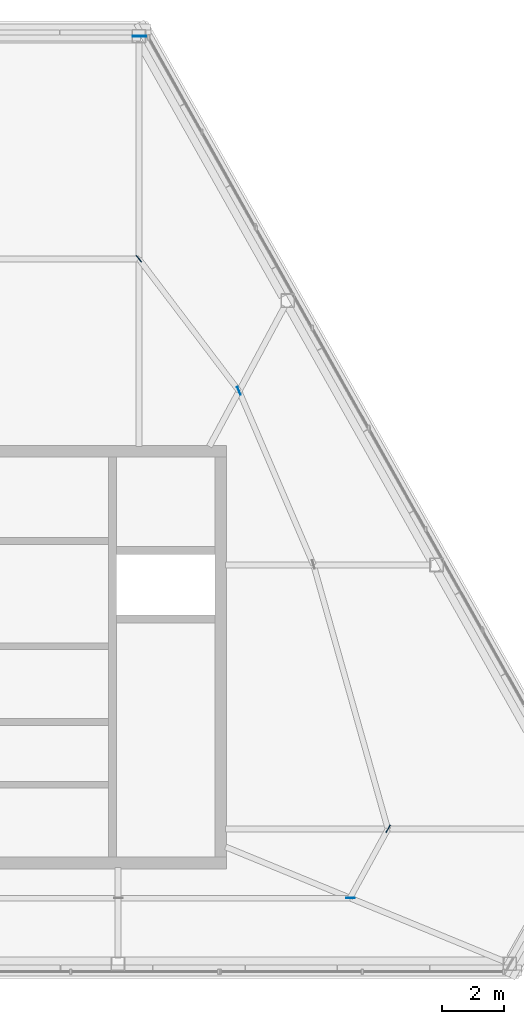
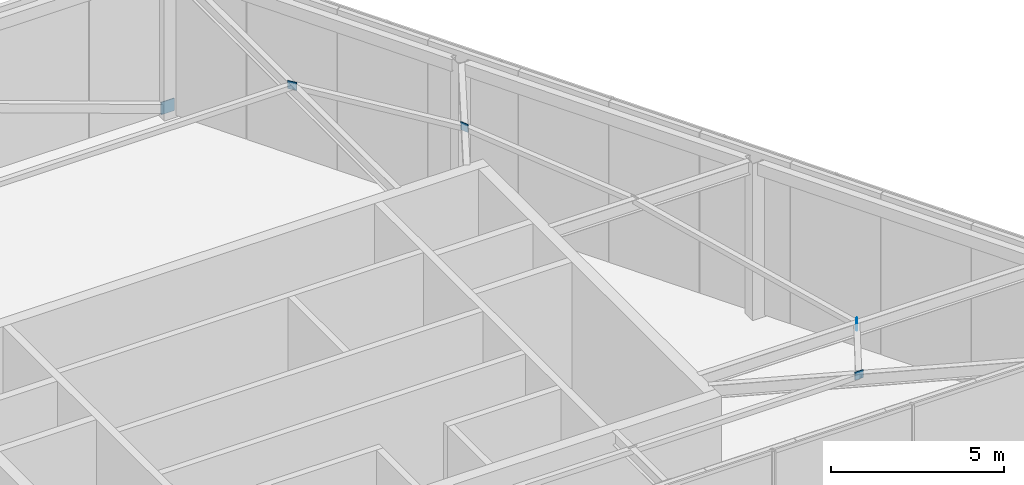
# One storey, part 9 of 12: 5 plates.
"""IFC4 building model written with IfcOpenShell, lengths in metres."""

from ifc_helpers import new_model, si_unit, direction, frame, origin, origin_2d, place, context, subcontext, project, spatial, rectangle, extrude, material, layer, layer_set, type_object, element, save


model = new_model("IFC4")

# Units and contexts
model_context = context("Model", 3, precision=1e-05, world=origin(), true_north=direction((0.0, 1.0)))
body_context = subcontext(model_context, "Body", "Model", "MODEL_VIEW")
ifc_project = project(units=[si_unit("LENGTHUNIT", "METRE"), si_unit("AREAUNIT", "SQUARE_METRE"), si_unit("VOLUMEUNIT", "CUBIC_METRE"), si_unit("PLANEANGLEUNIT", "RADIAN"), si_unit("MASSUNIT", "GRAM", prefix="KILO")], contexts=[model_context])

# Site, building, storey
site_placement = place(None, origin())
site = spatial("IfcSite", under=ifc_project, at=site_placement, CompositionType="ELEMENT")
building_placement = place(site_placement, origin())
building = spatial("IfcBuilding", under=site, at=building_placement, Name="Kavelnor Concourse Tower", CompositionType="ELEMENT")
storey_placement = place(building_placement, frame((0.0, 0.0, 315.699951171875)))
storey = spatial("IfcBuildingStorey", under=building, at=storey_placement, Name="L79", CompositionType="ELEMENT", Elevation=315.699951171875)

# Plates
ifc_material = material(Name="Steel Grade 350", Category="steel")
ifc_layer_1 = layer(ifc_material, 0.031982421875, Name="Steel Grade 350")
ifc_layer_set_1 = layer_set([ifc_layer_1], Name="Steel Grade 350")
plate_type_1 = type_object("IfcPlateType", Name="PL-GUSSET-TUBE-Z1", PredefinedType="USERDEFINED", material=ifc_layer_set_1)
plate_placement = place(storey_placement, frame((45.06103515625, 36.276123046875, 0.080078125), z_axis=(0.0, 0.0, 1.0), x_axis=(-1.0, 0.0, 0.0)))
element("IfcPlate", 1, at=plate_placement, inside=storey, type_object=plate_type_1, Name="L79 Crown Brace 12 End Gusset A", ObjectType="GUSSET_PLATE", PredefinedType="USERDEFINED", context=body_context, shape_type="SweptSolid", body=[
    extrude(rectangle(XDim=0.43994140625, YDim=0.031982421875, at=origin_2d()), origin(), (0.0, 0.0, 1.0), 0.43994140625),
])
ifc_layer_2 = layer(ifc_material, 0.02490234375, Name="Steel Grade 350")
ifc_layer_set_2 = layer_set([ifc_layer_2], Name="Steel Grade 350")
plate_type_2 = type_object("IfcPlateType", Name="PL-SPLICE-FLANGE", PredefinedType="SHEET", material=ifc_layer_set_2)
for number, where, z_axis, x_axis, name in (
    (2, (51.921875, 8.267578125, 5.2900390625), (0.0, 0.0, 1.0), (1.0, 0.0, 0.0), "L79 Roof Purlin 07 End Gusset B"),
    (3, (53.14697265625, 10.51806640625, 5.2900390625), (0.0, 0.0, 1.0), (0.481753674102, 0.876306680044, 0.0), "L79 Roof Purlin 08 End Gusset B"),
    (4, (48.298583984375, 24.75439453125, 5.2900390625), (0.0, 0.0, 1.0), (-0.393781484212, 0.919204081089, 0.0), "L79 Roof Purlin 10 End Gusset B"),
    (5, (45.041748046875, 29.047607421875, 5.2900390625), (0.0, 0.0, 1.0), (-0.603903781253, 0.797057226922, 0.0), "L79 Roof Purlin 11 End Gusset B"),
):
    element("IfcPlate", number, at=place(storey_placement, frame(where, z_axis=z_axis, x_axis=x_axis)), inside=storey, type_object=plate_type_2, Name=name, PredefinedType="SHEET", context=body_context, shape_type="SweptSolid", body=[
        extrude(rectangle(XDim=0.280029296875, YDim=0.02490234375, at=origin_2d()), origin(), (0.0, 0.0, 1.0), 0.280029296875),
    ])

save(model, "model.ifc")
